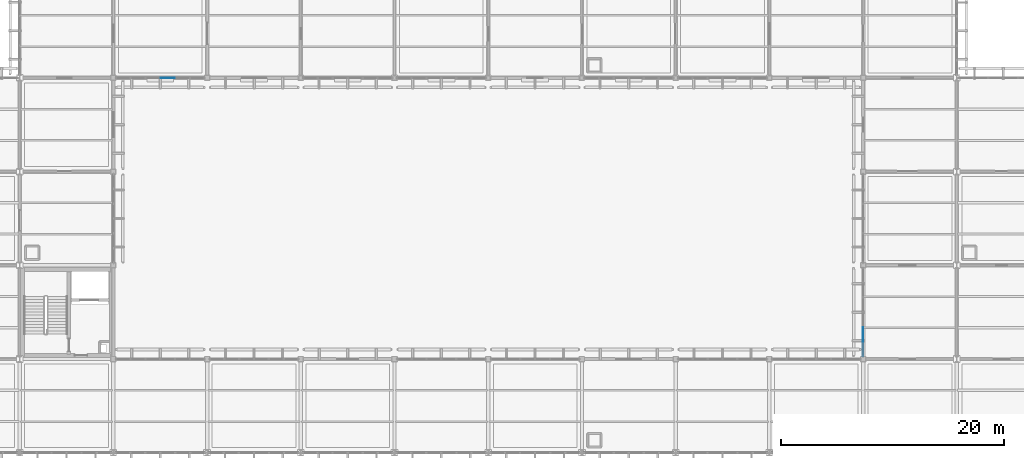
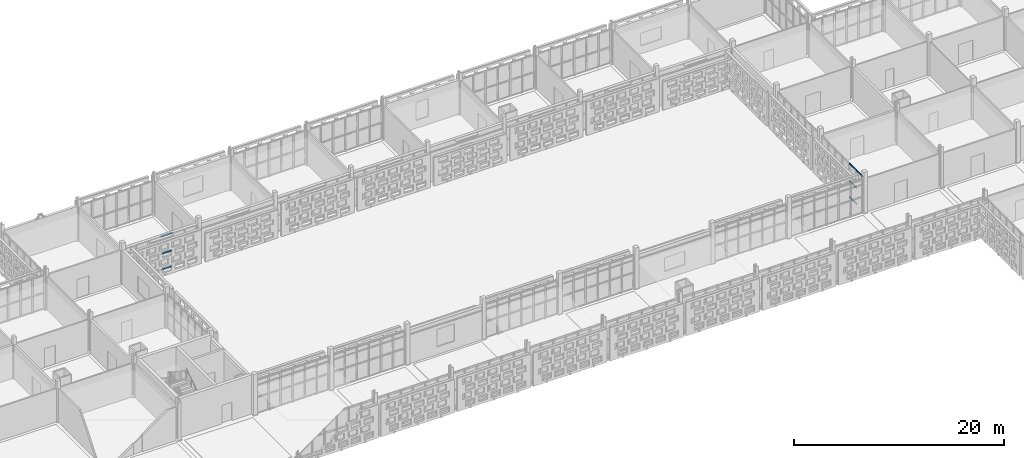
# One storey, part 58 of 203: 7 members, 2 elements without a shape of their own.
"""IFC4 building model written with IfcOpenShell, lengths in metres."""

from ifc_helpers import new_model, si_unit, direction, frame, origin, origin_2d, place, context, subcontext, project, spatial, rectangle, extrude, material, layer, layer_set, material_profile, profile_set, type_object, element, aggregate, save


model = new_model("IFC4")

# Units and contexts
model_context = context("Model", 3, precision=1e-05, world=origin(), true_north=direction((0.0, 1.0)))
body_context = subcontext(model_context, "Body", "Model", "MODEL_VIEW")
ifc_project = project(units=[si_unit("LENGTHUNIT", "METRE"), si_unit("AREAUNIT", "SQUARE_METRE"), si_unit("VOLUMEUNIT", "CUBIC_METRE"), si_unit("PLANEANGLEUNIT", "RADIAN"), si_unit("MASSUNIT", "GRAM", prefix="KILO")], contexts=[model_context])

# Site, building, storey
site_placement = place(None, origin())
site = spatial("IfcSite", under=ifc_project, at=site_placement, CompositionType="ELEMENT")
building_placement = place(site_placement, origin())
building = spatial("IfcBuilding", under=site, at=building_placement, Name="Varnapada Polytechnic", CompositionType="ELEMENT")
storey_placement = place(building_placement, frame((0.0, 0.0, 4.800048828125)))
storey = spatial("IfcBuildingStorey", under=building, at=storey_placement, Name="L01", CompositionType="ELEMENT", Elevation=4.800048828125)

# Curtain wall, members
ifc_material_1 = material(Name="Double low-E laminated glass", Category="glass")
ifc_layer = layer(ifc_material_1, 0.159912109375)
ifc_layer_set = layer_set([ifc_layer], Name="Double low-E laminated glass")
curtain_wall_type = type_object("IfcCurtainWallType", Name="Curtain Wall CW-02", PredefinedType="NOTDEFINED", material=ifc_layer_set)
curtain_wall_1_placement = place(storey_placement, origin())
curtain_wall_1 = element("IfcCurtainWall", 1, at=curtain_wall_1_placement, inside=storey, type_object=curtain_wall_type, Name="L01 unitised curtain wall CW-02 (59)", PredefinedType="NOTDEFINED")
ifc_material_2 = material(Name="Anodised aluminium", Category="aluminium")
ifc_material_profile = material_profile(ifc_material_2, rectangle(XDim=0.06005859375, YDim=0.1201171875, at=origin_2d()), Name="ALU T60x120")
ifc_profile_set = profile_set([ifc_material_profile], Name="Anodised aluminium")
member_type = type_object("IfcMemberType", Name="Transom T-01", PredefinedType="USERDEFINED", material=ifc_profile_set)
member_1_placement = place(storey_placement, frame((64.300048828125, 117.60009765625, 0.030029296875), z_axis=(-1.0, 0.0, 0.0), x_axis=(0.0, -1.0, 0.0)))
member_1 = element("IfcMember", 2, at=member_1_placement, type_object=member_type, Name="CW-02 transom 3.1", ObjectType="TRANSOM", PredefinedType="USERDEFINED", context=body_context, shape_type="SweptSolid", body=[
    extrude(rectangle(XDim=0.06005859375, YDim=0.1201171875, at=origin_2d()), origin(), (0.0, 0.0, 1.0), 1.27001953125),
])
member_2_placement = place(storey_placement, frame((64.300048828125, 117.60009765625, 1.900634765625), z_axis=(-1.0, 0.0, 0.0), x_axis=(0.0, -1.0, 0.0)))
member_2 = element("IfcMember", 3, at=member_2_placement, type_object=member_type, Name="CW-02 transom 3.2", ObjectType="TRANSOM", PredefinedType="USERDEFINED", context=body_context, shape_type="SweptSolid", body=[
    extrude(rectangle(XDim=0.06005859375, YDim=0.1201171875, at=origin_2d()), origin(), (0.0, 0.0, 1.0), 1.27001953125),
])
member_3_placement = place(storey_placement, frame((64.300048828125, 117.60009765625, 3.929931640625), z_axis=(-1.0, 0.0, 0.0), x_axis=(0.0, -1.0, 0.0)))
member_3 = element("IfcMember", 4, at=member_3_placement, type_object=member_type, Name="CW-02 transom 3.3", ObjectType="TRANSOM", PredefinedType="USERDEFINED", context=body_context, shape_type="SweptSolid", body=[
    extrude(rectangle(XDim=0.06005859375, YDim=0.1201171875, at=origin_2d()), origin(), (0.0, 0.0, 1.0), 1.27001953125),
])
aggregate(curtain_wall_1, [member_1, member_2, member_3])

curtain_wall_2_placement = place(storey_placement, origin())
curtain_wall_2 = element("IfcCurtainWall", 5, at=curtain_wall_2_placement, inside=storey, type_object=curtain_wall_type, Name="L01 unitised curtain wall CW-02 (97)", PredefinedType="NOTDEFINED")
member_4_placement = place(storey_placement, frame((126.0, 92.669921875, 3.929931640625), z_axis=(0.0, 1.0, 0.0), x_axis=(-1.0, 0.0, 0.0)))
member_4 = element("IfcMember", 6, at=member_4_placement, type_object=member_type, Name="CW-02 transom 1.3", ObjectType="TRANSOM", PredefinedType="USERDEFINED", context=body_context, shape_type="SweptSolid", body=[
    extrude(rectangle(XDim=0.06005859375, YDim=0.1201171875, at=origin_2d()), origin(), (0.0, 0.0, 1.0), 1.239990234375),
])
member_5_placement = place(storey_placement, frame((126.0, 93.969970703125, 0.030029296875), z_axis=(0.0, 1.0, 0.0), x_axis=(-1.0, 0.0, 0.0)))
member_5 = element("IfcMember", 7, at=member_5_placement, type_object=member_type, Name="CW-02 transom 2.1", ObjectType="TRANSOM", PredefinedType="USERDEFINED", context=body_context, shape_type="SweptSolid", body=[
    extrude(rectangle(XDim=0.06005859375, YDim=0.1201171875, at=origin_2d()), origin(), (0.0, 0.0, 1.0), 1.27001953125),
])
member_6_placement = place(storey_placement, frame((126.0, 93.969970703125, 1.900634765625), z_axis=(0.0, 1.0, 0.0), x_axis=(-1.0, 0.0, 0.0)))
member_6 = element("IfcMember", 8, at=member_6_placement, type_object=member_type, Name="CW-02 transom 2.2", ObjectType="TRANSOM", PredefinedType="USERDEFINED", context=body_context, shape_type="SweptSolid", body=[
    extrude(rectangle(XDim=0.06005859375, YDim=0.1201171875, at=origin_2d()), origin(), (0.0, 0.0, 1.0), 1.27001953125),
])
member_7_placement = place(storey_placement, frame((126.0, 93.969970703125, 3.929931640625), z_axis=(0.0, 1.0, 0.0), x_axis=(-1.0, 0.0, 0.0)))
member_7 = element("IfcMember", 9, at=member_7_placement, type_object=member_type, Name="CW-02 transom 2.3", ObjectType="TRANSOM", PredefinedType="USERDEFINED", context=body_context, shape_type="SweptSolid", body=[
    extrude(rectangle(XDim=0.06005859375, YDim=0.1201171875, at=origin_2d()), origin(), (0.0, 0.0, 1.0), 1.27001953125),
])
aggregate(curtain_wall_2, [member_4, member_5, member_6, member_7])

save(model, "model.ifc")
